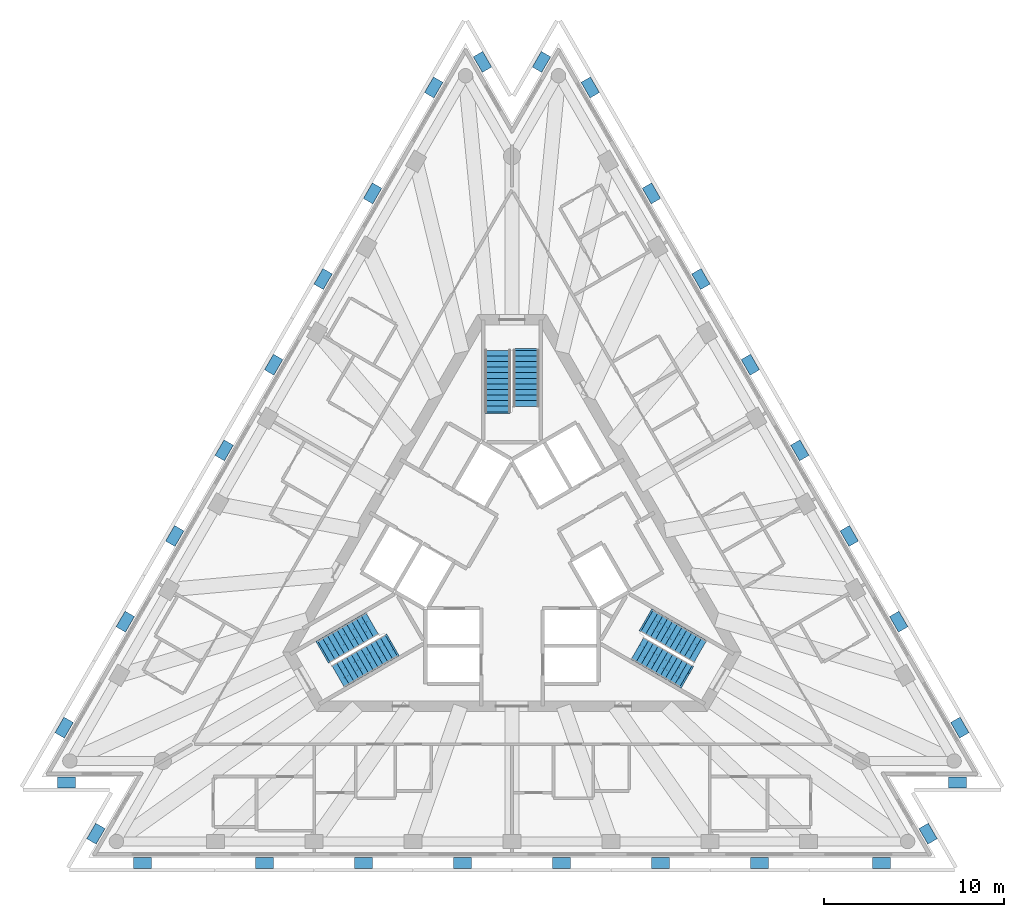
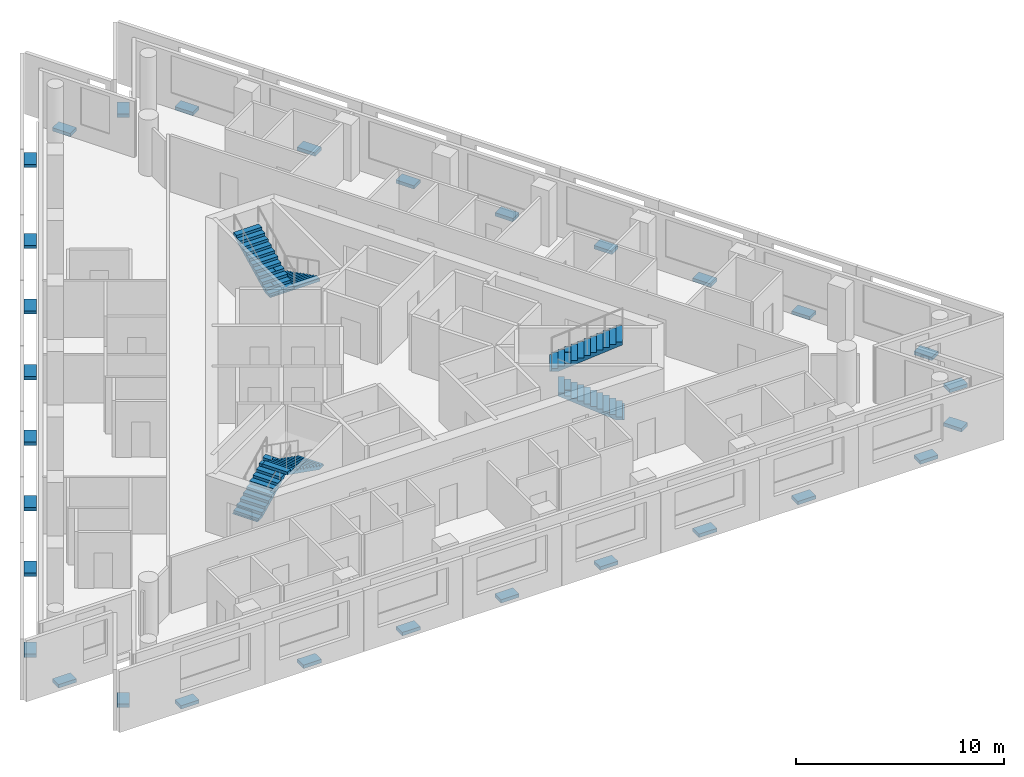
# One storey, part 8 of 9: 30 discrete accessories, 6 stair flights, 3 elements without a shape of their own.
"""IFC4 building model written with IfcOpenShell, lengths in metres."""

from ifc_helpers import new_model, si_unit, direction, frame, origin, origin_2d, place, context, subcontext, project, spatial, polyline, rectangle, outline, extrude, material, type_object, element, aggregate, save


model = new_model("IFC4")

# Units and contexts
model_context = context("Model", 3, precision=1e-05, world=origin(), true_north=direction((0.0, 1.0)))
body_context = subcontext(model_context, "Body", "Model", "MODEL_VIEW")
ifc_project = project(units=[si_unit("LENGTHUNIT", "METRE"), si_unit("AREAUNIT", "SQUARE_METRE"), si_unit("VOLUMEUNIT", "CUBIC_METRE"), si_unit("PLANEANGLEUNIT", "RADIAN"), si_unit("MASSUNIT", "GRAM", prefix="KILO")], contexts=[model_context])

# Site, building, storey
site_placement = place(None, origin())
site = spatial("IfcSite", under=ifc_project, at=site_placement, CompositionType="ELEMENT")
building_placement = place(site_placement, origin())
building = spatial("IfcBuilding", under=site, at=building_placement, Name="Triada Interchange Tower", CompositionType="ELEMENT")
storey_placement = place(building_placement, frame((0.0, 0.0, 286.300048828125)))
storey = spatial("IfcBuildingStorey", under=building, at=storey_placement, Name="L67", CompositionType="ELEMENT", Elevation=286.300048828125)

# Stair, stair flights
ifc_material_1 = material(Name="Concrete C35/45", Category="concrete")
stair_type = type_object("IfcStairType", Name="HALF TURN STAIR 1400", PredefinedType="HALF_TURN_STAIR", material=ifc_material_1)
stair_1_placement = place(storey_placement, origin())
stair_1 = element("IfcStair", 1, at=stair_1_placement, inside=storey, type_object=stair_type, Name="Exit stair S65-1", PredefinedType="HALF_TURN_STAIR")
stair_flight_type = type_object("IfcStairFlightType", Name="STRAIGHT STAIR FLIGHT 1400", PredefinedType="STRAIGHT", material=ifc_material_1)
stair_flight_1_placement = place(storey_placement, frame((0.800048828125, 11.60009765625, 0.0), z_axis=(0.0, 0.0, 1.0), x_axis=(0.0, -1.0, 0.0)))
stair_flight_1 = element("IfcStairFlight", 2, at=stair_flight_1_placement, type_object=stair_flight_type, Name="S65-1 flight 1", NumberOfRisers=11, NumberOfTreads=10, PredefinedType="STRAIGHT", RiserHeight=0.15652, TreadLength=0.31, context=body_context, shape_type="SweptSolid", body=[
    extrude(outline(polyline([(-0.10009765625, 0.0), (-0.10009765625, 0.02001953125), (0.0, 0.02001953125), (0.0, 0.156494140625), (0.31005859375, 0.156494140625), (0.31005859375, 0.31298828125), (0.6201171875, 0.31298828125), (0.6201171875, 0.469482421875), (0.929931640625, 0.469482421875), (0.929931640625, 0.6259765625), (1.239990234375, 0.6259765625), (1.239990234375, 0.78271484375), (1.550048828125, 0.78271484375), (1.550048828125, 0.939208984375), (1.860107421875, 0.939208984375), (1.860107421875, 1.095703125), (2.169921875, 1.095703125), (2.169921875, 1.252197265625), (2.47998046875, 1.252197265625), (2.47998046875, 1.40869140625), (2.7900390625, 1.40869140625), (2.7900390625, 1.565185546875), (3.10009765625, 1.565185546875), (3.10400390625, 1.565185546875), (3.10400390625, 1.7216796875), (3.10400390625, 1.397216796875), (0.33251953125, 0.0), (-0.10009765625, 0.0)])), frame((0.0, 0.699951171875, 0.0), z_axis=(0.0, -1.0, 0.0), x_axis=(1.0, 0.0, 0.0)), (0.0, 0.0, 1.0), 0.46533203125),
    extrude(outline(polyline([(-0.10009765625, 0.0), (-0.10009765625, 0.02001953125), (0.0, 0.02001953125), (0.0, 0.156494140625), (0.31005859375, 0.156494140625), (0.31005859375, 0.31298828125), (0.6201171875, 0.31298828125), (0.6201171875, 0.469482421875), (0.929931640625, 0.469482421875), (0.929931640625, 0.6259765625), (1.239990234375, 0.6259765625), (1.239990234375, 0.78271484375), (1.550048828125, 0.78271484375), (1.550048828125, 0.939208984375), (1.860107421875, 0.939208984375), (1.860107421875, 1.095703125), (2.169921875, 1.095703125), (2.169921875, 1.252197265625), (2.47998046875, 1.252197265625), (2.47998046875, 1.40869140625), (2.7900390625, 1.40869140625), (2.7900390625, 1.565185546875), (3.10009765625, 1.565185546875), (3.10400390625, 1.565185546875), (3.10400390625, 1.7216796875), (3.10400390625, 1.397216796875), (0.33251953125, 0.0), (-0.10009765625, 0.0)])), frame((0.0, 0.232666015625, 0.0), z_axis=(0.0, -1.0, 0.0), x_axis=(1.0, 0.0, 0.0)), (0.0, 0.0, 1.0), 0.46533203125),
    extrude(outline(polyline([(-0.10009765625, 0.0), (-0.10009765625, 0.02001953125), (0.0, 0.02001953125), (0.0, 0.156494140625), (0.31005859375, 0.156494140625), (0.31005859375, 0.31298828125), (0.6201171875, 0.31298828125), (0.6201171875, 0.469482421875), (0.929931640625, 0.469482421875), (0.929931640625, 0.6259765625), (1.239990234375, 0.6259765625), (1.239990234375, 0.78271484375), (1.550048828125, 0.78271484375), (1.550048828125, 0.939208984375), (1.860107421875, 0.939208984375), (1.860107421875, 1.095703125), (2.169921875, 1.095703125), (2.169921875, 1.252197265625), (2.47998046875, 1.252197265625), (2.47998046875, 1.40869140625), (2.7900390625, 1.40869140625), (2.7900390625, 1.565185546875), (3.10009765625, 1.565185546875), (3.10400390625, 1.565185546875), (3.10400390625, 1.7216796875), (3.10400390625, 1.397216796875), (0.33251953125, 0.0), (-0.10009765625, 0.0)])), frame((0.0, -0.234619140625, 0.0), z_axis=(0.0, -1.0, 0.0), x_axis=(1.0, 0.0, 0.0)), (0.0, 0.0, 1.0), 0.46533203125),
])
stair_flight_2_placement = place(storey_placement, frame((-0.800048828125, 8.18994140625, 1.7216796875), z_axis=(0.0, 0.0, 1.0), x_axis=(0.0, 1.0, 0.0)))
stair_flight_2 = element("IfcStairFlight", 3, at=stair_flight_2_placement, type_object=stair_flight_type, Name="S65-1 flight 2", NumberOfRisers=12, NumberOfTreads=11, PredefinedType="STRAIGHT", RiserHeight=0.15652, TreadLength=0.31, context=body_context, shape_type="SweptSolid", body=[
    extrude(outline(polyline([(-0.10009765625, 0.0), (-0.10009765625, 0.02001953125), (0.0, 0.02001953125), (0.0, 0.156494140625), (0.31005859375, 0.156494140625), (0.31005859375, 0.31298828125), (0.6201171875, 0.31298828125), (0.6201171875, 0.469482421875), (0.929931640625, 0.469482421875), (0.929931640625, 0.6259765625), (1.239990234375, 0.6259765625), (1.239990234375, 0.78271484375), (1.550048828125, 0.78271484375), (1.550048828125, 0.939208984375), (1.860107421875, 0.939208984375), (1.860107421875, 1.095703125), (2.169921875, 1.095703125), (2.169921875, 1.252197265625), (2.47998046875, 1.252197265625), (2.47998046875, 1.40869140625), (2.7900390625, 1.40869140625), (2.7900390625, 1.565185546875), (3.10009765625, 1.565185546875), (3.10009765625, 1.7216796875), (3.409912109375, 1.7216796875), (3.4140625, 1.7216796875), (3.4140625, 1.878173828125), (3.4140625, 1.5537109375), (0.33251953125, 0.0), (-0.10009765625, 0.0)])), frame((0.0, 0.699951171875, 0.0), z_axis=(0.0, -1.0, 0.0), x_axis=(1.0, 0.0, 0.0)), (0.0, 0.0, 1.0), 0.46533203125),
    extrude(outline(polyline([(-0.10009765625, 0.0), (-0.10009765625, 0.02001953125), (0.0, 0.02001953125), (0.0, 0.156494140625), (0.31005859375, 0.156494140625), (0.31005859375, 0.31298828125), (0.6201171875, 0.31298828125), (0.6201171875, 0.469482421875), (0.929931640625, 0.469482421875), (0.929931640625, 0.6259765625), (1.239990234375, 0.6259765625), (1.239990234375, 0.78271484375), (1.550048828125, 0.78271484375), (1.550048828125, 0.939208984375), (1.860107421875, 0.939208984375), (1.860107421875, 1.095703125), (2.169921875, 1.095703125), (2.169921875, 1.252197265625), (2.47998046875, 1.252197265625), (2.47998046875, 1.40869140625), (2.7900390625, 1.40869140625), (2.7900390625, 1.565185546875), (3.10009765625, 1.565185546875), (3.10009765625, 1.7216796875), (3.409912109375, 1.7216796875), (3.4140625, 1.7216796875), (3.4140625, 1.878173828125), (3.4140625, 1.5537109375), (0.33251953125, 0.0), (-0.10009765625, 0.0)])), frame((0.0, 0.232666015625, 0.0), z_axis=(0.0, -1.0, 0.0), x_axis=(1.0, 0.0, 0.0)), (0.0, 0.0, 1.0), 0.46533203125),
    extrude(outline(polyline([(-0.10009765625, 0.0), (-0.10009765625, 0.02001953125), (0.0, 0.02001953125), (0.0, 0.156494140625), (0.31005859375, 0.156494140625), (0.31005859375, 0.31298828125), (0.6201171875, 0.31298828125), (0.6201171875, 0.469482421875), (0.929931640625, 0.469482421875), (0.929931640625, 0.6259765625), (1.239990234375, 0.6259765625), (1.239990234375, 0.78271484375), (1.550048828125, 0.78271484375), (1.550048828125, 0.939208984375), (1.860107421875, 0.939208984375), (1.860107421875, 1.095703125), (2.169921875, 1.095703125), (2.169921875, 1.252197265625), (2.47998046875, 1.252197265625), (2.47998046875, 1.40869140625), (2.7900390625, 1.40869140625), (2.7900390625, 1.565185546875), (3.10009765625, 1.565185546875), (3.10009765625, 1.7216796875), (3.409912109375, 1.7216796875), (3.4140625, 1.7216796875), (3.4140625, 1.878173828125), (3.4140625, 1.5537109375), (0.33251953125, 0.0), (-0.10009765625, 0.0)])), frame((0.0, -0.234619140625, 0.0), z_axis=(0.0, -1.0, 0.0), x_axis=(1.0, 0.0, 0.0)), (0.0, 0.0, 1.0), 0.46533203125),
])
aggregate(stair_1, [stair_flight_1, stair_flight_2])

stair_2_placement = place(storey_placement, origin())
stair_2 = element("IfcStair", 4, at=stair_2_placement, inside=storey, type_object=stair_type, Name="Exit stair S65-2", PredefinedType="HALF_TURN_STAIR")
stair_flight_3_placement = place(storey_placement, frame((-10.446044921875, -5.10693359375, 0.0), z_axis=(0.0, 0.0, 1.0), x_axis=(0.866025403784, 0.5, 0.0)))
stair_flight_3 = element("IfcStairFlight", 5, at=stair_flight_3_placement, type_object=stair_flight_type, Name="S65-2 flight 1", NumberOfRisers=11, NumberOfTreads=10, PredefinedType="STRAIGHT", RiserHeight=0.15652, TreadLength=0.31, context=body_context, shape_type="SweptSolid", body=[
    extrude(outline(polyline([(-0.10009765625, 0.0), (-0.10009765625, 0.02001953125), (0.0, 0.02001953125), (0.0, 0.156494140625), (0.31005859375, 0.156494140625), (0.31005859375, 0.31298828125), (0.6201171875, 0.31298828125), (0.6201171875, 0.469482421875), (0.929931640625, 0.469482421875), (0.929931640625, 0.6259765625), (1.239990234375, 0.6259765625), (1.239990234375, 0.78271484375), (1.550048828125, 0.78271484375), (1.550048828125, 0.939208984375), (1.860107421875, 0.939208984375), (1.860107421875, 1.095703125), (2.169921875, 1.095703125), (2.169921875, 1.252197265625), (2.47998046875, 1.252197265625), (2.47998046875, 1.40869140625), (2.7900390625, 1.40869140625), (2.7900390625, 1.565185546875), (3.10009765625, 1.565185546875), (3.10400390625, 1.565185546875), (3.10400390625, 1.7216796875), (3.10400390625, 1.397216796875), (0.33251953125, 0.0), (-0.10009765625, 0.0)])), frame((0.0, 0.699951171875, 0.0), z_axis=(0.0, -1.0, 0.0), x_axis=(1.0, 0.0, 0.0)), (0.0, 0.0, 1.0), 0.46533203125),
    extrude(outline(polyline([(-0.10009765625, 0.0), (-0.10009765625, 0.02001953125), (0.0, 0.02001953125), (0.0, 0.156494140625), (0.31005859375, 0.156494140625), (0.31005859375, 0.31298828125), (0.6201171875, 0.31298828125), (0.6201171875, 0.469482421875), (0.929931640625, 0.469482421875), (0.929931640625, 0.6259765625), (1.239990234375, 0.6259765625), (1.239990234375, 0.78271484375), (1.550048828125, 0.78271484375), (1.550048828125, 0.939208984375), (1.860107421875, 0.939208984375), (1.860107421875, 1.095703125), (2.169921875, 1.095703125), (2.169921875, 1.252197265625), (2.47998046875, 1.252197265625), (2.47998046875, 1.40869140625), (2.7900390625, 1.40869140625), (2.7900390625, 1.565185546875), (3.10009765625, 1.565185546875), (3.10400390625, 1.565185546875), (3.10400390625, 1.7216796875), (3.10400390625, 1.397216796875), (0.33251953125, 0.0), (-0.10009765625, 0.0)])), frame((0.0, 0.232666015625, 0.0), z_axis=(0.0, -1.0, 0.0), x_axis=(1.0, 0.0, 0.0)), (0.0, 0.0, 1.0), 0.46533203125),
    extrude(outline(polyline([(-0.10009765625, 0.0), (-0.10009765625, 0.02001953125), (0.0, 0.02001953125), (0.0, 0.156494140625), (0.31005859375, 0.156494140625), (0.31005859375, 0.31298828125), (0.6201171875, 0.31298828125), (0.6201171875, 0.469482421875), (0.929931640625, 0.469482421875), (0.929931640625, 0.6259765625), (1.239990234375, 0.6259765625), (1.239990234375, 0.78271484375), (1.550048828125, 0.78271484375), (1.550048828125, 0.939208984375), (1.860107421875, 0.939208984375), (1.860107421875, 1.095703125), (2.169921875, 1.095703125), (2.169921875, 1.252197265625), (2.47998046875, 1.252197265625), (2.47998046875, 1.40869140625), (2.7900390625, 1.40869140625), (2.7900390625, 1.565185546875), (3.10009765625, 1.565185546875), (3.10400390625, 1.565185546875), (3.10400390625, 1.7216796875), (3.10400390625, 1.397216796875), (0.33251953125, 0.0), (-0.10009765625, 0.0)])), frame((0.0, -0.234619140625, 0.0), z_axis=(0.0, -1.0, 0.0), x_axis=(1.0, 0.0, 0.0)), (0.0, 0.0, 1.0), 0.46533203125),
])
stair_flight_4_placement = place(storey_placement, frame((-6.693115234375, -4.7880859375, 1.7216796875), z_axis=(0.0, 0.0, 1.0), x_axis=(-0.866025403784, -0.5, 0.0)))
stair_flight_4 = element("IfcStairFlight", 6, at=stair_flight_4_placement, type_object=stair_flight_type, Name="S65-2 flight 2", NumberOfRisers=12, NumberOfTreads=11, PredefinedType="STRAIGHT", RiserHeight=0.15652, TreadLength=0.31, context=body_context, shape_type="SweptSolid", body=[
    extrude(outline(polyline([(-0.10009765625, 0.0), (-0.10009765625, 0.02001953125), (0.0, 0.02001953125), (0.0, 0.156494140625), (0.31005859375, 0.156494140625), (0.31005859375, 0.31298828125), (0.6201171875, 0.31298828125), (0.6201171875, 0.469482421875), (0.929931640625, 0.469482421875), (0.929931640625, 0.6259765625), (1.239990234375, 0.6259765625), (1.239990234375, 0.78271484375), (1.550048828125, 0.78271484375), (1.550048828125, 0.939208984375), (1.860107421875, 0.939208984375), (1.860107421875, 1.095703125), (2.169921875, 1.095703125), (2.169921875, 1.252197265625), (2.47998046875, 1.252197265625), (2.47998046875, 1.40869140625), (2.7900390625, 1.40869140625), (2.7900390625, 1.565185546875), (3.10009765625, 1.565185546875), (3.10009765625, 1.7216796875), (3.409912109375, 1.7216796875), (3.4140625, 1.7216796875), (3.4140625, 1.878173828125), (3.4140625, 1.5537109375), (0.33251953125, 0.0), (-0.10009765625, 0.0)])), frame((0.0, 0.699951171875, 0.0), z_axis=(0.0, -1.0, 0.0), x_axis=(1.0, 0.0, 0.0)), (0.0, 0.0, 1.0), 0.46533203125),
    extrude(outline(polyline([(-0.10009765625, 0.0), (-0.10009765625, 0.02001953125), (0.0, 0.02001953125), (0.0, 0.156494140625), (0.31005859375, 0.156494140625), (0.31005859375, 0.31298828125), (0.6201171875, 0.31298828125), (0.6201171875, 0.469482421875), (0.929931640625, 0.469482421875), (0.929931640625, 0.6259765625), (1.239990234375, 0.6259765625), (1.239990234375, 0.78271484375), (1.550048828125, 0.78271484375), (1.550048828125, 0.939208984375), (1.860107421875, 0.939208984375), (1.860107421875, 1.095703125), (2.169921875, 1.095703125), (2.169921875, 1.252197265625), (2.47998046875, 1.252197265625), (2.47998046875, 1.40869140625), (2.7900390625, 1.40869140625), (2.7900390625, 1.565185546875), (3.10009765625, 1.565185546875), (3.10009765625, 1.7216796875), (3.409912109375, 1.7216796875), (3.4140625, 1.7216796875), (3.4140625, 1.878173828125), (3.4140625, 1.5537109375), (0.33251953125, 0.0), (-0.10009765625, 0.0)])), frame((0.0, 0.232666015625, 0.0), z_axis=(0.0, -1.0, 0.0), x_axis=(1.0, 0.0, 0.0)), (0.0, 0.0, 1.0), 0.46533203125),
    extrude(outline(polyline([(-0.10009765625, 0.0), (-0.10009765625, 0.02001953125), (0.0, 0.02001953125), (0.0, 0.156494140625), (0.31005859375, 0.156494140625), (0.31005859375, 0.31298828125), (0.6201171875, 0.31298828125), (0.6201171875, 0.469482421875), (0.929931640625, 0.469482421875), (0.929931640625, 0.6259765625), (1.239990234375, 0.6259765625), (1.239990234375, 0.78271484375), (1.550048828125, 0.78271484375), (1.550048828125, 0.939208984375), (1.860107421875, 0.939208984375), (1.860107421875, 1.095703125), (2.169921875, 1.095703125), (2.169921875, 1.252197265625), (2.47998046875, 1.252197265625), (2.47998046875, 1.40869140625), (2.7900390625, 1.40869140625), (2.7900390625, 1.565185546875), (3.10009765625, 1.565185546875), (3.10009765625, 1.7216796875), (3.409912109375, 1.7216796875), (3.4140625, 1.7216796875), (3.4140625, 1.878173828125), (3.4140625, 1.5537109375), (0.33251953125, 0.0), (-0.10009765625, 0.0)])), frame((0.0, -0.234619140625, 0.0), z_axis=(0.0, -1.0, 0.0), x_axis=(1.0, 0.0, 0.0)), (0.0, 0.0, 1.0), 0.46533203125),
])
aggregate(stair_2, [stair_flight_3, stair_flight_4])

stair_3_placement = place(storey_placement, origin())
stair_3 = element("IfcStair", 7, at=stair_3_placement, inside=storey, type_object=stair_type, Name="Exit stair S65-3", PredefinedType="HALF_TURN_STAIR")
stair_flight_5_placement = place(storey_placement, frame((9.64599609375, -6.492919921875, 0.0), z_axis=(0.0, 0.0, 1.0), x_axis=(-0.866025403784, 0.5, 0.0)))
stair_flight_5 = element("IfcStairFlight", 8, at=stair_flight_5_placement, type_object=stair_flight_type, Name="S65-3 flight 1", NumberOfRisers=11, NumberOfTreads=10, PredefinedType="STRAIGHT", RiserHeight=0.15652, TreadLength=0.31, context=body_context, shape_type="SweptSolid", body=[
    extrude(outline(polyline([(-0.10009765625, 0.0), (-0.10009765625, 0.02001953125), (0.0, 0.02001953125), (0.0, 0.156494140625), (0.31005859375, 0.156494140625), (0.31005859375, 0.31298828125), (0.6201171875, 0.31298828125), (0.6201171875, 0.469482421875), (0.929931640625, 0.469482421875), (0.929931640625, 0.6259765625), (1.239990234375, 0.6259765625), (1.239990234375, 0.78271484375), (1.550048828125, 0.78271484375), (1.550048828125, 0.939208984375), (1.860107421875, 0.939208984375), (1.860107421875, 1.095703125), (2.169921875, 1.095703125), (2.169921875, 1.252197265625), (2.47998046875, 1.252197265625), (2.47998046875, 1.40869140625), (2.7900390625, 1.40869140625), (2.7900390625, 1.565185546875), (3.10009765625, 1.565185546875), (3.10400390625, 1.565185546875), (3.10400390625, 1.7216796875), (3.10400390625, 1.397216796875), (0.33251953125, 0.0), (-0.10009765625, 0.0)])), frame((0.0, 0.699951171875, 0.0), z_axis=(0.0, -1.0, 0.0), x_axis=(1.0, 0.0, 0.0)), (0.0, 0.0, 1.0), 0.46533203125),
    extrude(outline(polyline([(-0.10009765625, 0.0), (-0.10009765625, 0.02001953125), (0.0, 0.02001953125), (0.0, 0.156494140625), (0.31005859375, 0.156494140625), (0.31005859375, 0.31298828125), (0.6201171875, 0.31298828125), (0.6201171875, 0.469482421875), (0.929931640625, 0.469482421875), (0.929931640625, 0.6259765625), (1.239990234375, 0.6259765625), (1.239990234375, 0.78271484375), (1.550048828125, 0.78271484375), (1.550048828125, 0.939208984375), (1.860107421875, 0.939208984375), (1.860107421875, 1.095703125), (2.169921875, 1.095703125), (2.169921875, 1.252197265625), (2.47998046875, 1.252197265625), (2.47998046875, 1.40869140625), (2.7900390625, 1.40869140625), (2.7900390625, 1.565185546875), (3.10009765625, 1.565185546875), (3.10400390625, 1.565185546875), (3.10400390625, 1.7216796875), (3.10400390625, 1.397216796875), (0.33251953125, 0.0), (-0.10009765625, 0.0)])), frame((0.0, 0.232666015625, 0.0), z_axis=(0.0, -1.0, 0.0), x_axis=(1.0, 0.0, 0.0)), (0.0, 0.0, 1.0), 0.46533203125),
    extrude(outline(polyline([(-0.10009765625, 0.0), (-0.10009765625, 0.02001953125), (0.0, 0.02001953125), (0.0, 0.156494140625), (0.31005859375, 0.156494140625), (0.31005859375, 0.31298828125), (0.6201171875, 0.31298828125), (0.6201171875, 0.469482421875), (0.929931640625, 0.469482421875), (0.929931640625, 0.6259765625), (1.239990234375, 0.6259765625), (1.239990234375, 0.78271484375), (1.550048828125, 0.78271484375), (1.550048828125, 0.939208984375), (1.860107421875, 0.939208984375), (1.860107421875, 1.095703125), (2.169921875, 1.095703125), (2.169921875, 1.252197265625), (2.47998046875, 1.252197265625), (2.47998046875, 1.40869140625), (2.7900390625, 1.40869140625), (2.7900390625, 1.565185546875), (3.10009765625, 1.565185546875), (3.10400390625, 1.565185546875), (3.10400390625, 1.7216796875), (3.10400390625, 1.397216796875), (0.33251953125, 0.0), (-0.10009765625, 0.0)])), frame((0.0, -0.234619140625, 0.0), z_axis=(0.0, -1.0, 0.0), x_axis=(1.0, 0.0, 0.0)), (0.0, 0.0, 1.0), 0.46533203125),
])
stair_flight_6_placement = place(storey_placement, frame((7.492919921875, -3.402099609375, 1.7216796875), z_axis=(0.0, 0.0, 1.0), x_axis=(0.866025403784, -0.5, 0.0)))
stair_flight_6 = element("IfcStairFlight", 9, at=stair_flight_6_placement, type_object=stair_flight_type, Name="S65-3 flight 2", NumberOfRisers=12, NumberOfTreads=11, PredefinedType="STRAIGHT", RiserHeight=0.15652, TreadLength=0.31, context=body_context, shape_type="SweptSolid", body=[
    extrude(outline(polyline([(-0.10009765625, 0.0), (-0.10009765625, 0.02001953125), (0.0, 0.02001953125), (0.0, 0.156494140625), (0.31005859375, 0.156494140625), (0.31005859375, 0.31298828125), (0.6201171875, 0.31298828125), (0.6201171875, 0.469482421875), (0.929931640625, 0.469482421875), (0.929931640625, 0.6259765625), (1.239990234375, 0.6259765625), (1.239990234375, 0.78271484375), (1.550048828125, 0.78271484375), (1.550048828125, 0.939208984375), (1.860107421875, 0.939208984375), (1.860107421875, 1.095703125), (2.169921875, 1.095703125), (2.169921875, 1.252197265625), (2.47998046875, 1.252197265625), (2.47998046875, 1.40869140625), (2.7900390625, 1.40869140625), (2.7900390625, 1.565185546875), (3.10009765625, 1.565185546875), (3.10009765625, 1.7216796875), (3.409912109375, 1.7216796875), (3.4140625, 1.7216796875), (3.4140625, 1.878173828125), (3.4140625, 1.5537109375), (0.33251953125, 0.0), (-0.10009765625, 0.0)])), frame((0.0, 0.699951171875, 0.0), z_axis=(0.0, -1.0, 0.0), x_axis=(1.0, 0.0, 0.0)), (0.0, 0.0, 1.0), 0.46533203125),
    extrude(outline(polyline([(-0.10009765625, 0.0), (-0.10009765625, 0.02001953125), (0.0, 0.02001953125), (0.0, 0.156494140625), (0.31005859375, 0.156494140625), (0.31005859375, 0.31298828125), (0.6201171875, 0.31298828125), (0.6201171875, 0.469482421875), (0.929931640625, 0.469482421875), (0.929931640625, 0.6259765625), (1.239990234375, 0.6259765625), (1.239990234375, 0.78271484375), (1.550048828125, 0.78271484375), (1.550048828125, 0.939208984375), (1.860107421875, 0.939208984375), (1.860107421875, 1.095703125), (2.169921875, 1.095703125), (2.169921875, 1.252197265625), (2.47998046875, 1.252197265625), (2.47998046875, 1.40869140625), (2.7900390625, 1.40869140625), (2.7900390625, 1.565185546875), (3.10009765625, 1.565185546875), (3.10009765625, 1.7216796875), (3.409912109375, 1.7216796875), (3.4140625, 1.7216796875), (3.4140625, 1.878173828125), (3.4140625, 1.5537109375), (0.33251953125, 0.0), (-0.10009765625, 0.0)])), frame((0.0, 0.232666015625, 0.0), z_axis=(0.0, -1.0, 0.0), x_axis=(1.0, 0.0, 0.0)), (0.0, 0.0, 1.0), 0.46533203125),
    extrude(outline(polyline([(-0.10009765625, 0.0), (-0.10009765625, 0.02001953125), (0.0, 0.02001953125), (0.0, 0.156494140625), (0.31005859375, 0.156494140625), (0.31005859375, 0.31298828125), (0.6201171875, 0.31298828125), (0.6201171875, 0.469482421875), (0.929931640625, 0.469482421875), (0.929931640625, 0.6259765625), (1.239990234375, 0.6259765625), (1.239990234375, 0.78271484375), (1.550048828125, 0.78271484375), (1.550048828125, 0.939208984375), (1.860107421875, 0.939208984375), (1.860107421875, 1.095703125), (2.169921875, 1.095703125), (2.169921875, 1.252197265625), (2.47998046875, 1.252197265625), (2.47998046875, 1.40869140625), (2.7900390625, 1.40869140625), (2.7900390625, 1.565185546875), (3.10009765625, 1.565185546875), (3.10009765625, 1.7216796875), (3.409912109375, 1.7216796875), (3.4140625, 1.7216796875), (3.4140625, 1.878173828125), (3.4140625, 1.5537109375), (0.33251953125, 0.0), (-0.10009765625, 0.0)])), frame((0.0, -0.234619140625, 0.0), z_axis=(0.0, -1.0, 0.0), x_axis=(1.0, 0.0, 0.0)), (0.0, 0.0, 1.0), 0.46533203125),
])
aggregate(stair_3, [stair_flight_5, stair_flight_6])

# Discrete accessories
ifc_material_2 = material(Name="Steel S355", Category="steel")
discrete_accessory_type = type_object("IfcDiscreteAccessoryType", Name="Steel bracket outer skin", PredefinedType="BRACKET", material=ifc_material_2)
for number, where, z_axis, x_axis, name in (
    (10, (-4.343017578125, 26.18701171875, -0.27001953125), (0.0, 0.0, 1.0), (-0.866024094785, 0.500002267247, 0.0), "Bracket L67 01"),
    (11, (-7.736083984375, 20.30908203125, -0.27001953125), (0.0, 0.0, 1.0), (-0.866024094785, 0.500002267247, 0.0), "Bracket L67 02"),
    (12, (-10.47998046875, 15.555908203125, -0.27001953125), (0.0, 0.0, 1.0), (-0.866024094785, 0.500002267247, 0.0), "Bracket L67 03"),
    (13, (-13.22412109375, 10.802978515625, -0.27001953125), (0.0, 0.0, 1.0), (-0.866024094785, 0.500002267247, 0.0), "Bracket L67 04"),
    (14, (-15.968017578125, 6.051025390625, -0.27001953125), (0.0, 0.0, 1.0), (-0.866024094785, 0.500002267247, 0.0), "Bracket L67 05"),
    (15, (-18.7119140625, 1.298095703125, -0.27001953125), (0.0, 0.0, 1.0), (-0.866024094785, 0.500002267247, 0.0), "Bracket L67 06"),
    (16, (-21.4560546875, -3.455078125, -0.27001953125), (0.0, 0.0, 1.0), (-0.866024094785, 0.500002267247, 0.0), "Bracket L67 07"),
    (17, (-24.85009765625, -9.3330078125, -0.27001953125), (0.0, 0.0, 1.0), (-0.866024094785, 0.500002267247, 0.0), "Bracket L67 08"),
    (18, (-24.72412109375, -12.384033203125, -0.27001953125), (0.0, 0.0, 1.0), (0.0, -1.0, 0.0), "Bracket L67 09"),
    (19, (-23.0869140625, -15.218994140625, -0.27001953125), (0.0, 0.0, 1.0), (-0.866088795907, 0.499890185544, 0.0), "Bracket L67 10"),
    (20, (-20.507080078125, -16.85400390625, -0.27001953125), (0.0, 0.0, 1.0), (0.0, -1.0, 0.0), "Bracket L67 11"),
    (21, (-13.719970703125, -16.85400390625, -0.27001953125), (0.0, 0.0, 1.0), (0.0, -1.0, 0.0), "Bracket L67 12"),
    (22, (-8.23193359375, -16.85400390625, -0.27001953125), (0.0, 0.0, 1.0), (0.0, -1.0, 0.0), "Bracket L67 13"),
    (23, (-2.743896484375, -16.85400390625, -0.27001953125), (0.0, 0.0, 1.0), (0.0, -1.0, 0.0), "Bracket L67 14"),
    (24, (2.743896484375, -16.85400390625, -0.27001953125), (0.0, 0.0, 1.0), (0.0, -1.0, 0.0), "Bracket L67 15"),
    (25, (8.23193359375, -16.85400390625, -0.27001953125), (0.0, 0.0, 1.0), (0.0, -1.0, 0.0), "Bracket L67 16"),
    (26, (13.719970703125, -16.85400390625, -0.27001953125), (0.0, 0.0, 1.0), (0.0, -1.0, 0.0), "Bracket L67 17"),
    (27, (20.507080078125, -16.85400390625, -0.27001953125), (0.0, 0.0, 1.0), (0.0, -1.0, 0.0), "Bracket L67 18"),
    (28, (23.0869140625, -15.218994140625, -0.27001953125), (0.0, 0.0, 1.0), (0.866088795907, 0.499890185544, 0.0), "Bracket L67 19"),
    (29, (24.72412109375, -12.384033203125, -0.27001953125), (0.0, 0.0, 1.0), (0.0, -1.0, 0.0), "Bracket L67 20"),
    (30, (24.85009765625, -9.3330078125, -0.27001953125), (0.0, 0.0, 1.0), (0.866024094785, 0.500002267247, 0.0), "Bracket L67 21"),
    (31, (21.4560546875, -3.455078125, -0.27001953125), (0.0, 0.0, 1.0), (0.866024094785, 0.500002267247, 0.0), "Bracket L67 22"),
    (32, (18.7119140625, 1.298095703125, -0.27001953125), (0.0, 0.0, 1.0), (0.866024094785, 0.500002267247, 0.0), "Bracket L67 23"),
    (33, (15.968017578125, 6.051025390625, -0.27001953125), (0.0, 0.0, 1.0), (0.866024094785, 0.500002267247, 0.0), "Bracket L67 24"),
    (34, (13.22412109375, 10.802978515625, -0.27001953125), (0.0, 0.0, 1.0), (0.866024094785, 0.500002267247, 0.0), "Bracket L67 25"),
    (35, (10.47998046875, 15.555908203125, -0.27001953125), (0.0, 0.0, 1.0), (0.866024094785, 0.500002267247, 0.0), "Bracket L67 26"),
    (36, (7.736083984375, 20.30908203125, -0.27001953125), (0.0, 0.0, 1.0), (0.866024094785, 0.500002267247, 0.0), "Bracket L67 27"),
    (37, (4.343017578125, 26.18701171875, -0.27001953125), (0.0, 0.0, 1.0), (0.866024094785, 0.500002267247, 0.0), "Bracket L67 28"),
    (38, (1.636962890625, 27.60302734375, -0.27001953125), (0.0, 0.0, 1.0), (-0.865956455047, 0.500119403705, 0.0), "Bracket L67 29"),
    (39, (-1.636962890625, 27.60302734375, -0.27001953125), (0.0, 0.0, 1.0), (0.865956455047, 0.500119403705, 0.0), "Bracket L67 30"),
):
    element("IfcDiscreteAccessory", number, at=place(storey_placement, frame(where, z_axis=z_axis, x_axis=x_axis)), inside=storey, type_object=discrete_accessory_type, Name=name, PredefinedType="BRACKET", context=body_context, shape_type="SweptSolid", body=[
        extrude(rectangle(XDim=0.60009765625, YDim=1.0, at=origin_2d()), origin(), (0.0, 0.0, 1.0), 0.199951171875),
    ])

save(model, "model.ifc")
